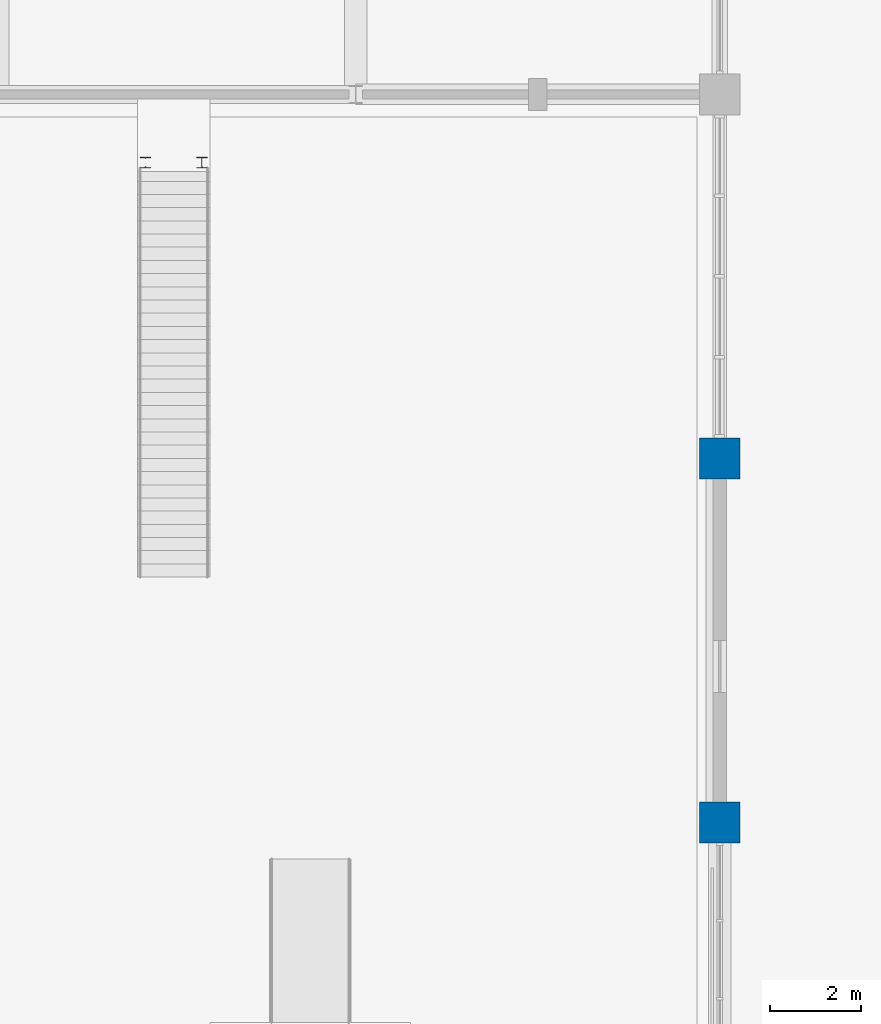
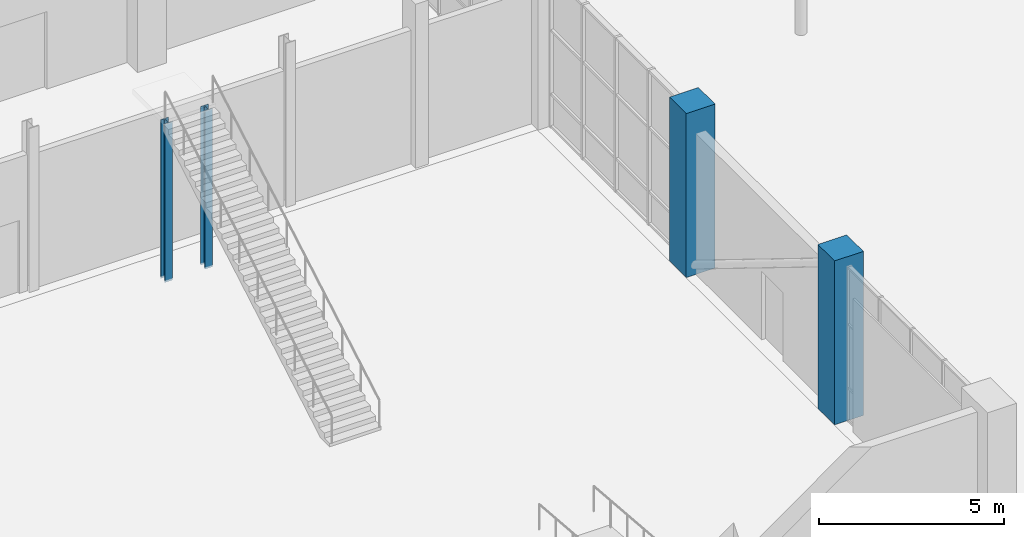
# One storey, part 4 of 123: 4 columns.
"""IFC4 building model written with IfcOpenShell, lengths in metres."""

from ifc_helpers import new_model, si_unit, direction, frame, origin, origin_2d, place, context, subcontext, project, spatial, rectangle, i_section, extrude, material, material_profile, profile_set, type_object, element, save


model = new_model("IFC4")

# Units and contexts
model_context = context("Model", 3, precision=1e-05, world=origin(), true_north=direction((0.0, 1.0)))
body_context = subcontext(model_context, "Body", "Model", "MODEL_VIEW")
ifc_project = project(units=[si_unit("LENGTHUNIT", "METRE"), si_unit("AREAUNIT", "SQUARE_METRE"), si_unit("VOLUMEUNIT", "CUBIC_METRE"), si_unit("PLANEANGLEUNIT", "RADIAN"), si_unit("MASSUNIT", "GRAM", prefix="KILO")], contexts=[model_context])

# Site, building, storey
site_placement = place(None, origin())
site = spatial("IfcSite", under=ifc_project, at=site_placement, CompositionType="ELEMENT")
building_placement = place(site_placement, origin())
building = spatial("IfcBuilding", under=site, at=building_placement, Name="Tenunan Teduh Sports Hall", CompositionType="ELEMENT")
storey_placement = place(building_placement, origin())
storey = spatial("IfcBuildingStorey", under=building, at=storey_placement, Name="L00", CompositionType="ELEMENT", Elevation=0.0)

# Columns
ifc_material_1 = material(Name="Concrete C40/50", Category="concrete")
ifc_material_profile_1 = material_profile(ifc_material_1, rectangle(XDim=0.89990234375, YDim=0.89990234375, at=origin_2d()), Name="RC 900x900")
ifc_profile_set_1 = profile_set([ifc_material_profile_1], Name="Concrete C40/50")
column_type_1 = type_object("IfcColumnType", Name="COL-RC-900", PredefinedType="COLUMN", material=ifc_profile_set_1)
for number, where, z_axis, x_axis, name in (
    (1, (54.0, 22.0, 0.0), (0.0, 0.0, 1.0), (1.0, 0.0, 0.0), "COL-C-03-L00-073"),
    (2, (54.0, 30.0, 0.0), (0.0, 0.0, 1.0), (1.0, 0.0, 0.0), "COL-C-03-L00-074"),
):
    element("IfcColumn", number, at=place(storey_placement, frame(where, z_axis=z_axis, x_axis=x_axis)), inside=storey, type_object=column_type_1, Name=name, PredefinedType="COLUMN", context=body_context, shape_type="SweptSolid", body=[
        extrude(rectangle(XDim=0.89990234375, YDim=0.89990234375, at=origin_2d()), origin(), (0.0, 0.0, 1.0), 5.39990234375),
    ])
ifc_material_2 = material(Name="Steel S355", Category="steel")
ifc_material_profile_2 = material_profile(ifc_material_2, i_section(OverallWidth=0.239990234375, OverallDepth=0.239990234375, WebThickness=0.010009765625, FlangeThickness=0.01708984375, FilletRadius=0.02099609375, at=origin_2d()), Name="HEB 240")
ifc_profile_set_2 = profile_set([ifc_material_profile_2], Name="Steel S355")
column_type_2 = type_object("IfcColumnType", Name="COL-ST-HEB240", PredefinedType="COLUMN", material=ifc_profile_set_2)
for number, where, z_axis, x_axis, name in (
    (3, (41.3798828125, 36.5, 0.0), (0.0, 0.0, 1.0), (1.0, 0.0, 0.0), "COL-SC-04-FST-6-1-L00"),
    (4, (42.6201171875, 36.5, 0.0), (0.0, 0.0, 1.0), (1.0, 0.0, 0.0), "COL-SC-04-FST-6-2-L00"),
):
    element("IfcColumn", number, at=place(storey_placement, frame(where, z_axis=z_axis, x_axis=x_axis)), inside=storey, type_object=column_type_2, Name=name, PredefinedType="COLUMN", context=body_context, shape_type="SweptSolid", body=[
        extrude(i_section(OverallWidth=0.239990234375, OverallDepth=0.239990234375, WebThickness=0.010009765625, FlangeThickness=0.01708984375, FilletRadius=0.02099609375, at=origin_2d()), origin(), (0.0, 0.0, 1.0), 5.219970703125),
    ])

save(model, "model.ifc")
